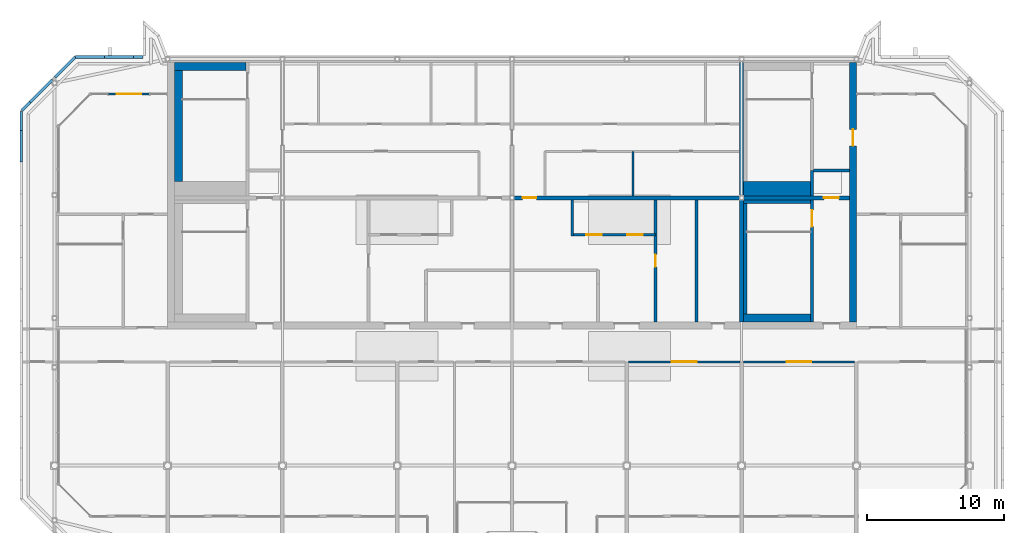
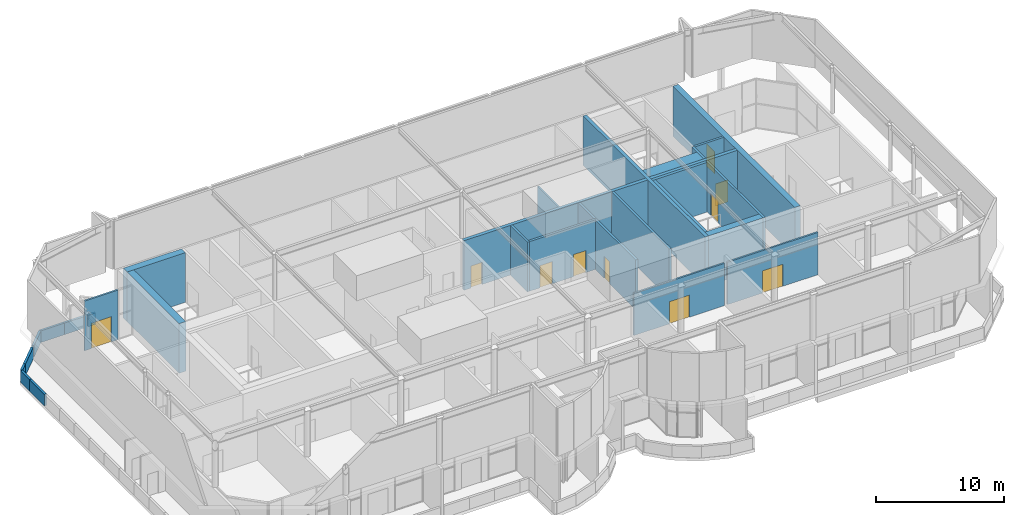
# One storey, part 21 of 25: 29 walls, 10 doors, 10 openings.
"""IFC4 building model written with IfcOpenShell, lengths in metres."""

import ifcopenshell
import ifcopenshell.guid

model = None  # the IFC model being written
_history = None  # IfcOwnerHistory: only IFC2X3 demands one
_inside = {}  # id of a spatial element -> (the spatial element, [elements in it])
_under = {}  # id of a project, library or spatial element -> (it, [spatial elements below it])
_declared = {}  # id of a project -> (the project, [libraries it declares])
_typed = {}  # id of a type object -> (the type object, [elements of that type])
_made_of = {}  # id of a material, layer set ... -> (it, [elements and type objects made of it])


def new_model(schema):
    """Start an empty IFC model of exactly this schema.

    Asked for "IFC4X3", IfcOpenShell would pick the latest addendum, in which some entities
    have other attributes; the version numbers below select the first issue.
    IFC2X3 requires an IfcOwnerHistory on every rooted entity: one is made here for all.
    """
    global model, _history
    if schema == "IFC4X3":
        model = ifcopenshell.file(schema_version=(4, 3, 0, 0))
    else:
        model = ifcopenshell.file(schema=schema)
    _inside.clear()
    _under.clear()
    _declared.clear()
    _typed.clear()
    _made_of.clear()
    _history = None
    if model.schema == "IFC2X3":
        org = make("IfcOrganization", Name="unknown")
        user = make(
            "IfcPersonAndOrganization",
            ThePerson=make("IfcPerson", FamilyName="unknown"),
            TheOrganization=org,
        )
        app = make(
            "IfcApplication",
            ApplicationDeveloper=org,
            Version="unknown",
            ApplicationFullName="unknown",
            ApplicationIdentifier="unknown",
        )
        _history = make(
            "IfcOwnerHistory",
            OwningUser=user,
            OwningApplication=app,
            ChangeAction="ADDED",
            CreationDate=0,
        )
    return model


def make(cls, **values):
    """One entity of the class cls with the attributes given. An attribute that is None is left unset."""
    return model.create_entity(
        cls, **{name: value for name, value in values.items() if value is not None}
    )


def rooted(cls, **values):
    """An entity with a GlobalId (a new one), such as an element, a storey or a relation."""
    return make(cls, GlobalId=ifcopenshell.guid.new(), OwnerHistory=_history, **values)


def si_unit(unit_type, name, prefix=None):
    """IfcSIUnit, for example si_unit("LENGTHUNIT", "METRE", prefix="MILLI")."""
    return make("IfcSIUnit", UnitType=unit_type, Prefix=prefix, Name=name)


def assignment(units):
    """IfcUnitAssignment: the units of a project."""
    return None if units is None else make("IfcUnitAssignment", Units=units)


def point(xyz):
    """IfcCartesianPoint."""
    return None if xyz is None else make("IfcCartesianPoint", Coordinates=xyz)


def direction(xyz):
    """IfcDirection."""
    return None if xyz is None else make("IfcDirection", DirectionRatios=xyz)


def frame(location, z_axis=None, x_axis=None):
    """IfcAxis2Placement3D, a coordinate frame: its origin and axes. An axis left out is left unset."""
    return make(
        "IfcAxis2Placement3D",
        Location=point(location),
        Axis=direction(z_axis),
        RefDirection=direction(x_axis),
    )


def frame_2d(location, x_axis=None):
    """IfcAxis2Placement2D, a coordinate frame in the plane: its origin and x axis."""
    return make(
        "IfcAxis2Placement2D", Location=point(location), RefDirection=direction(x_axis)
    )


def origin():
    """The frame at (0, 0, 0) with its axes left unset."""
    return frame((0.0, 0.0, 0.0))


def place(relative_to, where):
    """IfcLocalPlacement: puts the frame where relative to a parent placement (None: the world)."""
    return make(
        "IfcLocalPlacement", PlacementRelTo=relative_to, RelativePlacement=where
    )


def context(
    kind, dimensions, precision=None, world=None, true_north=None, identifier=None
):
    """IfcGeometricRepresentationContext, for example the 3D "Model" context."""
    return make(
        "IfcGeometricRepresentationContext",
        ContextIdentifier=identifier,
        ContextType=kind,
        CoordinateSpaceDimension=dimensions,
        Precision=precision,
        WorldCoordinateSystem=world,
        TrueNorth=true_north,
    )


def subcontext(parent, identifier, kind, view, scale=None):
    """IfcGeometricRepresentationSubContext, for example "Body" below "Model"."""
    return make(
        "IfcGeometricRepresentationSubContext",
        ContextIdentifier=identifier,
        ContextType=kind,
        ParentContext=parent,
        TargetScale=scale,
        TargetView=view,
    )


def project(units=None, contexts=None):
    """IfcProject with its units and contexts."""
    return rooted(
        "IfcProject",
        Name="project",
        RepresentationContexts=contexts,
        UnitsInContext=assignment(units),
    )


def spatial(cls, under=None, at=None, **own):
    """A site, building, storey or space (cls), placed at a placement, below another one or the project."""
    s = rooted(cls, ObjectPlacement=at, **own)
    if under is not None:
        _under.setdefault(under.id(), (under, []))[1].append(s)
    return s


def profile(cls, at=None, kind="AREA", **sizes):
    """A parametric profile (cls). Its sizes go by their IFC names, for example OverallWidth=200.0."""
    return make(cls, ProfileType=kind, Position=at, **sizes)


def rectangle(**sizes):
    """IfcRectangleProfileDef."""
    return profile("IfcRectangleProfileDef", **sizes)


def extrude(swept, where, along, depth):
    """IfcExtrudedAreaSolid: the profile swept, set in the frame where, extruded along a direction by depth."""
    return make(
        "IfcExtrudedAreaSolid",
        SweptArea=swept,
        Position=where,
        ExtrudedDirection=direction(along),
        Depth=depth,
    )


def shape(context_of_items, identifier, shape_type, items):
    """IfcShapeRepresentation: the items that make up one representation, for example the "Body"."""
    return make(
        "IfcShapeRepresentation",
        ContextOfItems=context_of_items,
        RepresentationIdentifier=identifier,
        RepresentationType=shape_type,
        Items=items,
    )


def source(mapping_origin, context_of_items, identifier, shape_type, items):
    """IfcRepresentationMap: a shape defined once, which mapped items show again and again."""
    return make(
        "IfcRepresentationMap",
        MappingOrigin=mapping_origin,
        MappedRepresentation=shape(context_of_items, identifier, shape_type, items),
    )


def transform(
    local_origin,
    x_axis=None,
    y_axis=None,
    z_axis=None,
    scale=None,
    scale2=None,
    scale3=None,
    uniform=True,
):
    """IfcCartesianTransformationOperator3D, or its non-uniform kind. x_axis, y_axis, z_axis: its Axis1, 2, 3."""
    if uniform:
        return make(
            "IfcCartesianTransformationOperator3D",
            Axis1=direction(x_axis),
            Axis2=direction(y_axis),
            LocalOrigin=point(local_origin),
            Scale=scale,
            Axis3=direction(z_axis),
        )
    return make(
        "IfcCartesianTransformationOperator3DnonUniform",
        Axis1=direction(x_axis),
        Axis2=direction(y_axis),
        LocalOrigin=point(local_origin),
        Scale=scale,
        Axis3=direction(z_axis),
        Scale2=scale2,
        Scale3=scale3,
    )


def mapped(mapping_source, mapping_target):
    """IfcMappedItem: shows the shape of a source again, moved by a transform."""
    return make(
        "IfcMappedItem", MappingSource=mapping_source, MappingTarget=mapping_target
    )


def material(Name=None, Category=None):
    """IfcMaterial."""
    return make("IfcMaterial", Name=Name, Category=Category)


def layer(
    of_material, thickness, ventilated=None, Name=None, Category=None, Priority=None
):
    """IfcMaterialLayer: one layer of a wall or slab, of a material (None: an air gap)."""
    return make(
        "IfcMaterialLayer",
        Material=of_material,
        LayerThickness=thickness,
        IsVentilated=ventilated,
        Name=Name,
        Category=Category,
        Priority=Priority,
    )


def layer_set(layers, Name=None):
    """IfcMaterialLayerSet."""
    return make("IfcMaterialLayerSet", MaterialLayers=layers, LayerSetName=Name)


def made_of(thing, what):
    """Note that an element or type object is made of a material, layer set ...; save() writes the relation."""
    if what is not None:
        _made_of.setdefault(what.id(), (what, []))[1].append(thing)
    return thing


def type_object(cls, material=None, **own):
    """A type object (cls), such as IfcWallType, which elements share."""
    return made_of(rooted(cls, **own), material)


def element(
    cls,
    number,
    at=None,
    inside=None,
    cuts=None,
    type_object=None,
    material=None,
    context=None,
    identifier="Body",
    shape_type=None,
    held_by="IfcProductDefinitionShape",
    body=None,
    shapes=None,
    **own,
):
    """One element of the class cls, such as IfcWall. Its Tag is "e" and its number.

    at: its placement. inside: the storey or other place that contains it. cuts: it is an
    opening in that element (IfcRelVoidsElement). A single representation is given by context,
    identifier, shape_type and body (its items); several are given by shapes. held_by: the class
    of the entity that holds the representations. save() writes the other relations.
    """
    e = rooted(cls, Tag="e%d" % number, ObjectPlacement=at, **own)
    if body is not None:
        shapes = [shape(context, identifier, shape_type, body)]
    if shapes is not None:
        e.Representation = make(held_by, Representations=shapes)
    if inside is not None:
        _inside.setdefault(inside.id(), (inside, []))[1].append(e)
    if cuts is not None:
        rooted(
            "IfcRelVoidsElement", RelatingBuildingElement=cuts, RelatedOpeningElement=e
        )
    if type_object is not None:
        _typed.setdefault(type_object.id(), (type_object, []))[1].append(e)
    return made_of(e, material)


def fill(opening, filler):
    """IfcRelFillsElement: the door or window that sits in an opening."""
    return rooted(
        "IfcRelFillsElement",
        RelatingOpeningElement=opening,
        RelatedBuildingElement=filler,
    )


def aggregate(whole, parts):
    """IfcRelAggregates: a whole, such as a stair, and the parts it consists of."""
    return rooted("IfcRelAggregates", RelatingObject=whole, RelatedObjects=parts)


def save(model, path):
    """Write the relations noted so far, then the file.

    IfcRelAggregates (storeys below a building ...), IfcRelContainedInSpatialStructure (elements
    in a storey), IfcRelDefinesByType, IfcRelAssociatesMaterial and IfcRelDeclares: one each for
    every whole, place, type object, material and project.
    """
    for whole, parts in _under.values():
        aggregate(whole, parts)
    for where, things in _inside.values():
        rooted(
            "IfcRelContainedInSpatialStructure",
            RelatedElements=things,
            RelatingStructure=where,
        )
    for kind, things in _typed.values():
        rooted("IfcRelDefinesByType", RelatedObjects=things, RelatingType=kind)
    for what, things in _made_of.values():
        rooted("IfcRelAssociatesMaterial", RelatedObjects=things, RelatingMaterial=what)
    for by, libraries in _declared.values():
        rooted("IfcRelDeclares", RelatingContext=by, RelatedDefinitions=libraries)
    model.write(path)


model = new_model("IFC4")

# Units and contexts
model_context = context("Model", 3, precision=1e-05, world=origin(), true_north=direction((0.0, 1.0)))
body_context = subcontext(model_context, "Body", "Model", "MODEL_VIEW")
ifc_project = project(units=[si_unit("LENGTHUNIT", "METRE"), si_unit("AREAUNIT", "SQUARE_METRE"), si_unit("VOLUMEUNIT", "CUBIC_METRE"), si_unit("PLANEANGLEUNIT", "RADIAN"), si_unit("MASSUNIT", "GRAM", prefix="KILO")], contexts=[model_context])

# Site, building, storey
site_placement = place(None, origin())
site = spatial("IfcSite", under=ifc_project, at=site_placement, CompositionType="ELEMENT")
building_placement = place(site_placement, origin())
building = spatial("IfcBuilding", under=site, at=building_placement, Name="Vanashikhar Sky Hotel", CompositionType="ELEMENT")
storey_placement = place(building_placement, frame((0.0, 0.0, 329.699951171875)))
storey = spatial("IfcBuildingStorey", under=building, at=storey_placement, Name="L78", CompositionType="ELEMENT", Elevation=329.699951171875)

# Wall, opening, door
ifc_material_1 = material(Name="Concrete M50", Category="concrete")
ifc_layer_1 = layer(ifc_material_1, 0.5)
ifc_layer_set_1 = layer_set([ifc_layer_1], Name="RC core shell wall 500 Concrete M50")
wall_type_1 = type_object("IfcWallType", Name="RC core shell wall 500 Concrete M50", PredefinedType="SHEAR", material=ifc_layer_set_1)
shared_shape_1 = source(origin(), body_context, "Body", "SweptSolid", [
    extrude(rectangle(XDim=19.0, YDim=0.5, at=frame_2d((9.5, 0.0))), origin(), (0.0, 0.0, 1.0), 4.719970703125),
])
wall_1_placement = place(storey_placement, frame((75.35009765625, 22.5, 0.0), z_axis=(0.0, 0.0, 1.0), x_axis=(0.0, 1.0, 0.0)))
wall_1 = element("IfcWall", 1, at=wall_1_placement, inside=storey, type_object=wall_type_1, Name="KW-L78-KE", PredefinedType="SHEAR", context=body_context, shape_type="MappedRepresentation", body=[
    mapped(shared_shape_1, transform((0.0, 0.0, 0.0), scale=1.0)),
])
shared_shape_2 = source(origin(), body_context, "Body", "SweptSolid", [
    extrude(rectangle(XDim=1.199951171875, YDim=2.10009765625, at=frame_2d((0.60009765625, 1.050048828125))), frame((0.0, 0.260009765625, 0.0), z_axis=(0.0, -1.0, 0.0), x_axis=(1.0, 0.0, 0.0)), (0.0, 0.0, 1.0), 0.52001953125),
])
opening_1_placement = place(wall_1_placement, frame((12.89990234375, 0.0, 0.0)))
opening_1 = element("IfcOpeningElement", 2, at=opening_1_placement, cuts=wall_1, Name="Opening DC-4-D", PredefinedType="OPENING", context=body_context, shape_type="MappedRepresentation", body=[
    mapped(shared_shape_2, transform((0.0, 0.0, 0.0), scale=1.0)),
])
ifc_material_2 = material(Name="Steel", Category="steel")
door_type_1 = type_object("IfcDoorType", Name="Service door 1200 FD120", OperationType="NOTDEFINED", PredefinedType="DOOR", material=ifc_material_2)
shared_shape_3 = source(origin(), body_context, "Body", "SweptSolid", [
    extrude(rectangle(XDim=1.199951171875, YDim=2.10009765625, at=frame_2d((0.60009765625, 1.050048828125))), frame((0.0, 0.02490234375, 0.0), z_axis=(0.0, -1.0, 0.0), x_axis=(1.0, 0.0, 0.0)), (0.0, 0.0, 1.0), 0.050048828125),
])
door_1_placement = place(opening_1_placement, origin())
door_1 = element("IfcDoor", 3, at=door_1_placement, inside=storey, type_object=door_type_1, Name="Service door 1200 FD120", OperationType="SINGLE_SWING_LEFT", OverallHeight=2.10009765625, OverallWidth=1.199951171875, PredefinedType="DOOR", context=body_context, shape_type="MappedRepresentation", body=[
    mapped(shared_shape_3, transform((0.0, 0.0, 0.0), scale=1.0)),
])
fill(opening_1, door_1)

# Wall
ifc_layer_2 = layer(ifc_material_1, 0.300048828125)
ifc_layer_set_2 = layer_set([ifc_layer_2], Name="RC core inner wall 300 Concrete M50")
wall_type_2 = type_object("IfcWallType", Name="RC core inner wall 300 Concrete M50", PredefinedType="SHEAR", material=ifc_layer_set_2)
shared_shape_4 = source(origin(), body_context, "Body", "SweptSolid", [
    extrude(rectangle(XDim=19.0, YDim=0.300048828125, at=frame_2d((9.5, 0.0))), origin(), (0.0, 0.0, 1.0), 4.719970703125),
])
wall_2_placement = place(storey_placement, frame((67.199951171875, 22.5, 0.0), z_axis=(0.0, 0.0, 1.0), x_axis=(0.0, 1.0, 0.0)))
element("IfcWall", 4, at=wall_2_placement, inside=storey, type_object=wall_type_2, Name="KW-L78-KX3", PredefinedType="SHEAR", context=body_context, shape_type="MappedRepresentation", body=[
    mapped(shared_shape_4, transform((0.0, 0.0, 0.0), scale=1.0)),
])

# Wall, opening, door
shared_shape_5 = source(origin(), body_context, "Body", "SweptSolid", [
    extrude(rectangle(XDim=7.75, YDim=0.300048828125, at=frame_2d((3.875, 0.0))), origin(), (0.0, 0.0, 1.0), 4.719970703125),
])
wall_3_placement = place(storey_placement, frame((67.35009765625, 31.60009765625, 0.0), z_axis=(0.0, 0.0, 1.0), x_axis=(1.0, 0.0, 0.0)))
wall_3 = element("IfcWall", 5, at=wall_3_placement, inside=storey, type_object=wall_type_2, Name="KW-L78-KY4", PredefinedType="SHEAR", context=body_context, shape_type="MappedRepresentation", body=[
    mapped(shared_shape_5, transform((0.0, 0.0, 0.0), scale=1.0)),
])
shared_shape_6 = source(origin(), body_context, "Body", "SweptSolid", [
    extrude(rectangle(XDim=1.10009765625, YDim=2.10009765625, at=frame_2d((0.550048828125, 1.050048828125))), frame((0.0, 0.16015625, 0.0), z_axis=(0.0, -1.0, 0.0), x_axis=(1.0, 0.0, 0.0)), (0.0, 0.0, 1.0), 0.320068359375),
])
opening_2_placement = place(wall_3_placement, frame((5.875, 0.0, 0.0)))
opening_2 = element("IfcOpeningElement", 6, at=opening_2_placement, cuts=wall_3, Name="Opening LD", PredefinedType="OPENING", context=body_context, shape_type="MappedRepresentation", body=[
    mapped(shared_shape_6, transform((0.0, 0.0, 0.0), scale=1.0)),
])
ifc_material_3 = material(Name="Stainless steel", Category="steel")
door_type_2 = type_object("IfcDoorType", Name="Lift landing door 1100", OperationType="NOTDEFINED", PredefinedType="DOOR", material=ifc_material_3)
shared_shape_7 = source(origin(), body_context, "Body", "SweptSolid", [
    extrude(rectangle(XDim=1.10009765625, YDim=2.10009765625, at=frame_2d((0.550048828125, 1.050048828125))), frame((0.0, 0.02490234375, 0.0), z_axis=(0.0, -1.0, 0.0), x_axis=(1.0, 0.0, 0.0)), (0.0, 0.0, 1.0), 0.050048828125),
])
door_2_placement = place(opening_2_placement, origin())
door_2 = element("IfcDoor", 7, at=door_2_placement, inside=storey, type_object=door_type_2, Name="Lift landing door 1100", OperationType="SLIDING_TO_LEFT", OverallHeight=2.10009765625, OverallWidth=1.10009765625, PredefinedType="DOOR", context=body_context, shape_type="MappedRepresentation", body=[
    mapped(shared_shape_7, transform((0.0, 0.0, 0.0), scale=1.0)),
])
fill(opening_2, door_2)

shared_shape_8 = source(origin(), body_context, "Body", "SweptSolid", [
    extrude(rectangle(XDim=16.5, YDim=0.300048828125, at=frame_2d((8.25, 0.0))), origin(), (0.0, 0.0, 1.0), 4.719970703125),
])
wall_4_placement = place(storey_placement, frame((50.550048828125, 31.60009765625, 0.0), z_axis=(0.0, 0.0, 1.0), x_axis=(1.0, 0.0, 0.0)))
wall_4 = element("IfcWall", 8, at=wall_4_placement, inside=storey, type_object=wall_type_2, Name="KW-L78-KY3", PredefinedType="SHEAR", context=body_context, shape_type="MappedRepresentation", body=[
    mapped(shared_shape_8, transform((0.0, 0.0, 0.0), scale=1.0)),
])
shared_shape_9 = source(origin(), body_context, "Body", "SweptSolid", [
    extrude(rectangle(XDim=1.0, YDim=2.10009765625, at=frame_2d((0.5, 1.050048828125))), frame((0.0, 0.16015625, 0.0), z_axis=(0.0, -1.0, 0.0), x_axis=(1.0, 0.0, 0.0)), (0.0, 0.0, 1.0), 0.320068359375),
])
opening_3_placement = place(wall_4_placement, frame((0.625, 0.0, 0.0)))
opening_3 = element("IfcOpeningElement", 9, at=opening_3_placement, cuts=wall_4, Name="Opening DC-4", PredefinedType="OPENING", context=body_context, shape_type="MappedRepresentation", body=[
    mapped(shared_shape_9, transform((0.0, 0.0, 0.0), scale=1.0)),
])
door_type_3 = type_object("IfcDoorType", Name="Service door 1000 FD60", OperationType="NOTDEFINED", PredefinedType="DOOR", material=ifc_material_2)
shared_shape_10 = source(origin(), body_context, "Body", "SweptSolid", [
    extrude(rectangle(XDim=1.0, YDim=2.10009765625, at=frame_2d((0.5, 1.050048828125))), frame((0.0, 0.02490234375, 0.0), z_axis=(0.0, -1.0, 0.0), x_axis=(1.0, 0.0, 0.0)), (0.0, 0.0, 1.0), 0.050048828125),
])
door_3_placement = place(opening_3_placement, origin())
door_3 = element("IfcDoor", 10, at=door_3_placement, inside=storey, type_object=door_type_3, Name="Service door 1000 FD60", OperationType="SINGLE_SWING_RIGHT", OverallHeight=2.10009765625, OverallWidth=1.0, PredefinedType="DOOR", context=body_context, shape_type="MappedRepresentation", body=[
    mapped(shared_shape_10, transform((0.0, 0.0, 0.0), scale=1.0)),
])
fill(opening_3, door_3)

# Walls
ifc_layer_3 = layer(ifc_material_1, 0.199951171875)
ifc_layer_set_3 = layer_set([ifc_layer_3], Name="Parapet 200")
wall_type_3 = type_object("IfcWallType", Name="Parapet 200", PredefinedType="PARAPET", material=ifc_layer_set_3)
shared_shape_11 = source(origin(), body_context, "Body", "SweptSolid", [
    extrude(rectangle(XDim=2.32421875, YDim=0.199951171875, at=frame_2d((1.162109375, 0.0))), origin(), (0.0, 0.0, 1.0), 1.10009765625),
])
wall_5_placement = place(storey_placement, frame((15.136474609375, 38.594970703125, 0.0), z_axis=(0.0, 0.0, 1.0), x_axis=(0.707106781187, 0.707106781187, 0.0)))
element("IfcWall", 11, at=wall_5_placement, inside=storey, type_object=wall_type_3, Name="Lookout balustrade wall", PredefinedType="PARAPET", context=body_context, shape_type="MappedRepresentation", body=[
    mapped(shared_shape_11, transform((0.0, 0.0, 0.0), scale=1.0)),
])
shared_shape_12 = source(origin(), body_context, "Body", "SweptSolid", [
    extrude(rectangle(XDim=0.858642578125, YDim=0.199951171875, at=frame_2d((0.42919921875, 0.0))), origin(), (0.0, 0.0, 1.0), 1.10009765625),
])
wall_6_placement = place(storey_placement, frame((14.529296875, 37.98779296875, 0.0), z_axis=(0.0, 0.0, 1.0), x_axis=(0.707106781187, 0.707106781187, 0.0)))
element("IfcWall", 12, at=wall_6_placement, inside=storey, type_object=wall_type_3, Name="Lookout balustrade wall", PredefinedType="PARAPET", context=body_context, shape_type="MappedRepresentation", body=[
    mapped(shared_shape_12, transform((0.0, 0.0, 0.0), scale=1.0)),
])
shared_shape_13 = source(origin(), body_context, "Body", "SweptSolid", [
    extrude(rectangle(XDim=1.383056640625, YDim=0.199951171875, at=frame_2d((0.69140625, 0.0))), origin(), (0.0, 0.0, 1.0), 1.10009765625),
])
wall_7_placement = place(storey_placement, frame((14.5, 36.5341796875, 0.0), z_axis=(0.0, 0.0, 1.0), x_axis=(0.0, 1.0, 0.0)))
element("IfcWall", 13, at=wall_7_placement, inside=storey, type_object=wall_type_3, Name="Lookout balustrade wall", PredefinedType="PARAPET", context=body_context, shape_type="MappedRepresentation", body=[
    mapped(shared_shape_13, transform((0.0, 0.0, 0.0), scale=1.0)),
])
shared_shape_14 = source(origin(), body_context, "Body", "SweptSolid", [
    extrude(rectangle(XDim=2.324462890625, YDim=0.199951171875, at=frame_2d((1.162109375, 0.0))), origin(), (0.0, 0.0, 1.0), 1.10009765625),
])
wall_8_placement = place(storey_placement, frame((14.5, 34.209716796875, 0.0), z_axis=(0.0, 0.0, 1.0), x_axis=(0.0, 1.0, 0.0)))
element("IfcWall", 14, at=wall_8_placement, inside=storey, type_object=wall_type_3, Name="Lookout balustrade wall", PredefinedType="PARAPET", context=body_context, shape_type="MappedRepresentation", body=[
    mapped(shared_shape_14, transform((0.0, 0.0, 0.0), scale=1.0)),
])
shared_shape_15 = source(origin(), body_context, "Body", "SweptSolid", [
    extrude(rectangle(XDim=2.093017578125, YDim=0.199951171875, at=frame_2d((1.04638671875, 0.0))), origin(), (0.0, 0.0, 1.0), 1.10009765625),
])
wall_9_placement = place(storey_placement, frame((16.96142578125, 40.419921875, 0.0), z_axis=(0.0, 0.0, 1.0), x_axis=(0.707106781187, 0.707106781187, 0.0)))
element("IfcWall", 15, at=wall_9_placement, inside=storey, type_object=wall_type_3, Name="Lookout balustrade wall", PredefinedType="PARAPET", context=body_context, shape_type="MappedRepresentation", body=[
    mapped(shared_shape_15, transform((0.0, 0.0, 0.0), scale=1.0)),
])
shared_shape_16 = source(origin(), body_context, "Body", "SweptSolid", [
    extrude(rectangle(XDim=2.124267578125, YDim=0.199951171875, at=frame_2d((1.06201171875, 0.0))), origin(), (0.0, 0.0, 1.0), 1.10009765625),
])
wall_10_placement = place(storey_placement, frame((18.472900390625, 41.89990234375, 0.0), z_axis=(0.0, 0.0, 1.0), x_axis=(1.0, 0.0, 0.0)))
element("IfcWall", 16, at=wall_10_placement, inside=storey, type_object=wall_type_3, Name="Lookout balustrade wall", PredefinedType="PARAPET", context=body_context, shape_type="MappedRepresentation", body=[
    mapped(shared_shape_16, transform((0.0, 0.0, 0.0), scale=1.0)),
])
shared_shape_17 = source(origin(), body_context, "Body", "SweptSolid", [
    extrude(rectangle(XDim=2.12451171875, YDim=0.199951171875, at=frame_2d((1.062255859375, 0.0))), origin(), (0.0, 0.0, 1.0), 1.10009765625),
])
wall_11_placement = place(storey_placement, frame((20.59716796875, 41.89990234375, 0.0), z_axis=(0.0, 0.0, 1.0), x_axis=(1.0, 0.0, 0.0)))
element("IfcWall", 17, at=wall_11_placement, inside=storey, type_object=wall_type_3, Name="Lookout balustrade wall", PredefinedType="PARAPET", context=body_context, shape_type="MappedRepresentation", body=[
    mapped(shared_shape_17, transform((0.0, 0.0, 0.0), scale=1.0)),
])
shared_shape_18 = source(origin(), body_context, "Body", "SweptSolid", [
    extrude(rectangle(XDim=0.666259765625, YDim=0.199951171875, at=frame_2d((0.3330078125, 0.0))), origin(), (0.0, 0.0, 1.0), 1.10009765625),
])
wall_12_placement = place(storey_placement, frame((22.7216796875, 41.89990234375, 0.0), z_axis=(0.0, 0.0, 1.0), x_axis=(1.0, 0.0, 0.0)))
element("IfcWall", 18, at=wall_12_placement, inside=storey, type_object=wall_type_3, Name="Lookout balustrade wall", PredefinedType="PARAPET", context=body_context, shape_type="MappedRepresentation", body=[
    mapped(shared_shape_18, transform((0.0, 0.0, 0.0), scale=1.0)),
])

# Wall, opening, door
ifc_material_4 = material(Name="Aluminium", Category="aluminium")
ifc_layer_4 = layer(ifc_material_4, 0.14990234375)
ifc_layer_set_4 = layer_set([ifc_layer_4], Name="Aluminium framed infill wall 150")
wall_type_4 = type_object("IfcWallType", Name="Aluminium framed infill wall 150", PredefinedType="SOLIDWALL", material=ifc_layer_set_4)
shared_shape_19 = source(origin(), body_context, "Body", "SweptSolid", [
    extrude(rectangle(XDim=3.0, YDim=0.14990234375, at=frame_2d((1.5, 0.0))), origin(), (0.0, 0.0, 1.0), 4.719970703125),
])
wall_13_placement = place(storey_placement, frame((23.869873046875, 39.199951171875, 0.0), z_axis=(0.0, 0.0, 1.0), x_axis=(-1.0, 0.0, 0.0)))
wall_13 = element("IfcWall", 19, at=wall_13_placement, inside=storey, type_object=wall_type_4, Name="Lounge door wall", PredefinedType="SOLIDWALL", context=body_context, shape_type="MappedRepresentation", body=[
    mapped(shared_shape_19, transform((0.0, 0.0, 0.0), scale=1.0)),
])
shared_shape_20 = source(origin(), body_context, "Body", "SweptSolid", [
    extrude(rectangle(XDim=1.800048828125, YDim=2.39990234375, at=frame_2d((0.89990234375, 1.199951171875))), frame((0.0, 0.0849609375, 0.0), z_axis=(0.0, -1.0, 0.0), x_axis=(1.0, 0.0, 0.0)), (0.0, 0.0, 1.0), 0.169921875),
])
opening_4_placement = place(wall_13_placement, frame((0.60009765625, 0.0, 0.0)))
opening_4 = element("IfcOpeningElement", 20, at=opening_4_placement, cuts=wall_13, Name="Opening LD-08", PredefinedType="OPENING", context=body_context, shape_type="MappedRepresentation", body=[
    mapped(shared_shape_20, transform((0.0, 0.0, 0.0), scale=1.0)),
])
door_type_4 = type_object("IfcDoorType", Name="Lookout sliding door 1800 x 2400", OperationType="NOTDEFINED", PredefinedType="DOOR", material=ifc_material_4)
shared_shape_21 = source(origin(), body_context, "Body", "SweptSolid", [
    extrude(rectangle(XDim=1.800048828125, YDim=2.39990234375, at=frame_2d((0.89990234375, 1.199951171875))), frame((0.0, 0.02490234375, 0.0), z_axis=(0.0, -1.0, 0.0), x_axis=(1.0, 0.0, 0.0)), (0.0, 0.0, 1.0), 0.050048828125),
])
door_4_placement = place(opening_4_placement, origin())
door_4 = element("IfcDoor", 21, at=door_4_placement, inside=storey, type_object=door_type_4, Name="Lookout sliding door", OperationType="SLIDING_TO_RIGHT", OverallHeight=2.39990234375, OverallWidth=1.800048828125, PredefinedType="DOOR", context=body_context, shape_type="MappedRepresentation", body=[
    mapped(shared_shape_21, transform((0.0, 0.0, 0.0), scale=1.0)),
])
fill(opening_4, door_4)

# Wall, openings, doors
ifc_material_5 = material(Name="Concrete M40", Category="concrete")
ifc_layer_5 = layer(ifc_material_5, 0.199951171875)
ifc_layer_set_5 = layer_set([ifc_layer_5], Name="Shaft wall 200")
wall_type_5 = type_object("IfcWallType", Name="Shaft wall 200", PredefinedType="SOLIDWALL", material=ifc_layer_set_5)
shared_shape_22 = source(origin(), body_context, "Body", "SweptSolid", [
    extrude(rectangle(XDim=6.0, YDim=0.199951171875, at=frame_2d((3.0, 0.0))), origin(), (0.0, 0.0, 1.0), 4.719970703125),
])
wall_14_placement = place(storey_placement, frame((60.89990234375, 28.89990234375, 0.0), z_axis=(0.0, 0.0, 1.0), x_axis=(-1.0, 0.0, 0.0)))
wall_14 = element("IfcWall", 22, at=wall_14_placement, inside=storey, type_object=wall_type_5, Name="Shaft wall 200", PredefinedType="SOLIDWALL", context=body_context, shape_type="MappedRepresentation", body=[
    mapped(shared_shape_22, transform((0.0, 0.0, 0.0), scale=1.0)),
])
shared_shape_23 = source(origin(), body_context, "Body", "SweptSolid", [
    extrude(rectangle(XDim=1.10009765625, YDim=2.10009765625, at=frame_2d((0.550048828125, 1.050048828125))), frame((0.0, 0.10986328125, 0.0), z_axis=(0.0, -1.0, 0.0), x_axis=(1.0, 0.0, 0.0)), (0.0, 0.0, 1.0), 0.219970703125),
])
opening_5_placement = place(wall_14_placement, frame((0.949951171875, 0.0, 0.0)))
opening_5 = element("IfcOpeningElement", 23, at=opening_5_placement, cuts=wall_14, Name="Opening LD", PredefinedType="OPENING", context=body_context, shape_type="MappedRepresentation", body=[
    mapped(shared_shape_23, transform((0.0, 0.0, 0.0), scale=1.0)),
])
opening_6_placement = place(wall_14_placement, frame((3.949951171875, 0.0, 0.0)))
opening_6 = element("IfcOpeningElement", 24, at=opening_6_placement, cuts=wall_14, Name="Opening LD", PredefinedType="OPENING", context=body_context, shape_type="MappedRepresentation", body=[
    mapped(shared_shape_23, transform((0.0, 0.0, 0.0), scale=1.0)),
])
door_5_placement = place(opening_5_placement, origin())
door_5 = element("IfcDoor", 25, at=door_5_placement, inside=storey, type_object=door_type_2, Name="Lift landing door 1100", OperationType="SLIDING_TO_RIGHT", OverallHeight=2.10009765625, OverallWidth=1.10009765625, PredefinedType="DOOR", context=body_context, shape_type="MappedRepresentation", body=[
    mapped(shared_shape_7, transform((0.0, 0.0, 0.0), scale=1.0)),
])
fill(opening_5, door_5)
door_6_placement = place(opening_6_placement, origin())
door_6 = element("IfcDoor", 26, at=door_6_placement, inside=storey, type_object=door_type_2, Name="Lift landing door 1100", OperationType="SLIDING_TO_LEFT", OverallHeight=2.10009765625, OverallWidth=1.10009765625, PredefinedType="DOOR", context=body_context, shape_type="MappedRepresentation", body=[
    mapped(shared_shape_7, transform((0.0, 0.0, 0.0), scale=1.0)),
])
fill(opening_6, door_6)

# Wall, opening, door
ifc_material_6 = material(Name="Gypsum board partition")
ifc_layer_6 = layer(ifc_material_6, 0.14990234375)
ifc_layer_set_6 = layer_set([ifc_layer_6], Name="Service partition 150")
wall_type_6 = type_object("IfcWallType", Name="Service partition 150", PredefinedType="PARTITIONING", material=ifc_layer_set_6)
shared_shape_24 = source(origin(), body_context, "Body", "SweptSolid", [
    extrude(rectangle(XDim=8.949951171875, YDim=0.199951171875, at=frame_2d((4.47509765625, 0.0))), origin(), (0.0, 0.0, 1.0), 4.719970703125),
])
wall_15_placement = place(storey_placement, frame((60.89990234375, 22.5, 0.0), z_axis=(0.0, 0.0, 1.0), x_axis=(0.0, 1.0, 0.0)))
wall_15 = element("IfcWall", 27, at=wall_15_placement, inside=storey, type_object=wall_type_6, Name="Service partition 150", PredefinedType="PARTITIONING", context=body_context, shape_type="MappedRepresentation", body=[
    mapped(shared_shape_24, transform((0.0, 0.0, 0.0), scale=1.0)),
])
shared_shape_25 = source(origin(), body_context, "Body", "SweptSolid", [
    extrude(rectangle(XDim=0.89990234375, YDim=2.10009765625, at=frame_2d((0.449951171875, 1.050048828125))), frame((0.0, 0.10986328125, 0.0), z_axis=(0.0, -1.0, 0.0), x_axis=(1.0, 0.0, 0.0)), (0.0, 0.0, 1.0), 0.219970703125),
])
opening_7_placement = place(wall_15_placement, frame((4.050048828125, 0.0, 0.0)))
opening_7 = element("IfcOpeningElement", 28, at=opening_7_placement, cuts=wall_15, Name="Opening DC-4-A", PredefinedType="OPENING", context=body_context, shape_type="MappedRepresentation", body=[
    mapped(shared_shape_25, transform((0.0, 0.0, 0.0), scale=1.0)),
])
door_type_5 = type_object("IfcDoorType", Name="Service door 900 FD60", OperationType="NOTDEFINED", PredefinedType="DOOR", material=ifc_material_2)
shared_shape_26 = source(origin(), body_context, "Body", "SweptSolid", [
    extrude(rectangle(XDim=0.89990234375, YDim=2.10009765625, at=frame_2d((0.449951171875, 1.050048828125))), frame((0.0, 0.02490234375, 0.0), z_axis=(0.0, -1.0, 0.0), x_axis=(1.0, 0.0, 0.0)), (0.0, 0.0, 1.0), 0.050048828125),
])
door_7_placement = place(opening_7_placement, origin())
door_7 = element("IfcDoor", 29, at=door_7_placement, inside=storey, type_object=door_type_5, Name="Service door 900 FD60", OperationType="SINGLE_SWING_RIGHT", OverallHeight=2.10009765625, OverallWidth=0.89990234375, PredefinedType="DOOR", context=body_context, shape_type="MappedRepresentation", body=[
    mapped(shared_shape_26, transform((0.0, 0.0, 0.0), scale=1.0)),
])
fill(opening_7, door_7)

# Walls
wall_16_placement = place(storey_placement, frame((63.89990234375, 22.5, 0.0), z_axis=(0.0, 0.0, 1.0), x_axis=(0.0, 1.0, 0.0)))
element("IfcWall", 30, at=wall_16_placement, inside=storey, type_object=wall_type_6, Name="Service partition 150", PredefinedType="PARTITIONING", context=body_context, shape_type="MappedRepresentation", body=[
    mapped(shared_shape_24, transform((0.0, 0.0, 0.0), scale=1.0)),
])
shared_shape_27 = source(origin(), body_context, "Body", "SweptSolid", [
    extrude(rectangle(XDim=2.64990234375, YDim=0.199951171875, at=frame_2d((1.324951171875, 0.0))), origin(), (0.0, 0.0, 1.0), 4.719970703125),
])
wall_17_placement = place(storey_placement, frame((54.800048828125, 28.800048828125, 0.0), z_axis=(0.0, 0.0, 1.0), x_axis=(0.0, 1.0, 0.0)))
element("IfcWall", 31, at=wall_17_placement, inside=storey, type_object=wall_type_5, Name="Shaft wall 200", PredefinedType="SOLIDWALL", context=body_context, shape_type="MappedRepresentation", body=[
    mapped(shared_shape_27, transform((0.0, 0.0, 0.0), scale=1.0)),
])
shared_shape_28 = source(origin(), body_context, "Body", "SweptSolid", [
    extrude(rectangle(XDim=3.25, YDim=0.14990234375, at=frame_2d((1.625, 0.0))), origin(), (0.0, 0.0, 1.0), 4.719970703125),
])
wall_18_placement = place(storey_placement, frame((59.25390625, 31.75, 0.0), z_axis=(0.0, 0.0, 1.0), x_axis=(0.0, 1.0, 0.0)))
element("IfcWall", 32, at=wall_18_placement, inside=storey, type_object=wall_type_6, Name="Service partition 150", PredefinedType="PARTITIONING", context=body_context, shape_type="MappedRepresentation", body=[
    mapped(shared_shape_28, transform((0.0, 0.0, 0.0), scale=1.0)),
])

# Wall, opening, door
ifc_layer_7 = layer(ifc_material_1, 0.199951171875)
ifc_layer_set_7 = layer_set([ifc_layer_7], Name="Stair wall 200")
wall_type_7 = type_object("IfcWallType", Name="Stair wall 200", PredefinedType="SOLIDWALL", material=ifc_layer_set_7)
shared_shape_29 = source(origin(), body_context, "Body", "SweptSolid", [
    extrude(rectangle(XDim=8.949951171875, YDim=0.199951171875, at=frame_2d((4.47509765625, 0.0))), origin(), (0.0, 0.0, 1.0), 4.719970703125),
])
wall_19_placement = place(storey_placement, frame((72.35009765625, 22.5, 0.0), z_axis=(0.0, 0.0, 1.0), x_axis=(0.0, 1.0, 0.0)))
wall_19 = element("IfcWall", 33, at=wall_19_placement, inside=storey, type_object=wall_type_7, Name="Stair wall 200", PredefinedType="SOLIDWALL", context=body_context, shape_type="MappedRepresentation", body=[
    mapped(shared_shape_29, transform((0.0, 0.0, 0.0), scale=1.0)),
])
shared_shape_30 = source(origin(), body_context, "Body", "SweptSolid", [
    extrude(rectangle(XDim=1.199951171875, YDim=2.10009765625, at=frame_2d((0.60009765625, 1.050048828125))), frame((0.0, 0.10986328125, 0.0), z_axis=(0.0, -1.0, 0.0), x_axis=(1.0, 0.0, 0.0)), (0.0, 0.0, 1.0), 0.219970703125),
])
opening_8_placement = place(wall_19_placement, frame((7.0, 0.0, 0.0)))
opening_8 = element("IfcOpeningElement", 34, at=opening_8_placement, cuts=wall_19, Name="Opening DC-1", PredefinedType="OPENING", context=body_context, shape_type="MappedRepresentation", body=[
    mapped(shared_shape_30, transform((0.0, 0.0, 0.0), scale=1.0)),
])
door_type_6 = type_object("IfcDoorType", Name="Stair door 1200 FD120", OperationType="NOTDEFINED", PredefinedType="DOOR", material=ifc_material_2)
door_8_placement = place(opening_8_placement, origin())
door_8 = element("IfcDoor", 35, at=door_8_placement, inside=storey, type_object=door_type_6, Name="Stair door 1200 FD120", OperationType="SINGLE_SWING_RIGHT", OverallHeight=2.10009765625, OverallWidth=1.199951171875, PredefinedType="DOOR", context=body_context, shape_type="MappedRepresentation", body=[
    mapped(shared_shape_3, transform((0.0, 0.0, 0.0), scale=1.0)),
])
fill(opening_8, door_8)

# Walls
shared_shape_31 = source(origin(), body_context, "Body", "SweptSolid", [
    extrude(rectangle(XDim=1.85009765625, YDim=0.199951171875, at=frame_2d((0.925048828125, 0.0))), origin(), (0.0, 0.0, 1.0), 4.719970703125),
])
wall_20_placement = place(storey_placement, frame((72.35009765625, 31.75, 0.0), z_axis=(0.0, 0.0, 1.0), x_axis=(0.0, 1.0, 0.0)))
element("IfcWall", 36, at=wall_20_placement, inside=storey, type_object=wall_type_5, Name="Shaft wall 200", PredefinedType="SOLIDWALL", context=body_context, shape_type="MappedRepresentation", body=[
    mapped(shared_shape_31, transform((0.0, 0.0, 0.0), scale=1.0)),
])
shared_shape_32 = source(origin(), body_context, "Body", "SweptSolid", [
    extrude(rectangle(XDim=2.650146484375, YDim=0.199951171875, at=frame_2d((1.3251953125, 0.0))), origin(), (0.0, 0.0, 1.0), 4.719970703125),
])
wall_21_placement = place(storey_placement, frame((72.449951171875, 33.60009765625, 0.0), z_axis=(0.0, 0.0, 1.0), x_axis=(1.0, 0.0, 0.0)))
element("IfcWall", 37, at=wall_21_placement, inside=storey, type_object=wall_type_5, Name="Shaft wall 200", PredefinedType="SOLIDWALL", context=body_context, shape_type="MappedRepresentation", body=[
    mapped(shared_shape_32, transform((0.0, 0.0, 0.0), scale=1.0)),
])
ifc_layer_8 = layer(ifc_material_1, 0.60009765625)
ifc_layer_set_8 = layer_set([ifc_layer_8], Name="Stair infill wall 600")
wall_type_8 = type_object("IfcWallType", Name="Stair infill wall 600", PredefinedType="SOLIDWALL", material=ifc_layer_set_8)
shared_shape_33 = source(origin(), body_context, "Body", "SweptSolid", [
    extrude(rectangle(XDim=5.25, YDim=0.60009765625, at=frame_2d((2.625, 0.0))), origin(), (0.0, 0.0, 1.0), 4.719970703125),
])
wall_22_placement = place(storey_placement, frame((25.699951171875, 41.199951171875, 0.0), z_axis=(0.0, 0.0, 1.0), x_axis=(1.0, 0.0, 0.0)))
element("IfcWall", 38, at=wall_22_placement, inside=storey, type_object=wall_type_8, Name="Stair infill wall 600", PredefinedType="SOLIDWALL", context=body_context, shape_type="MappedRepresentation", body=[
    mapped(shared_shape_33, transform((0.0, 0.0, 0.0), scale=1.0)),
])
shared_shape_34 = source(origin(), body_context, "Body", "SweptSolid", [
    extrude(rectangle(XDim=8.099853515625, YDim=0.60009765625, at=frame_2d((4.0498046875, 0.0))), origin(), (0.0, 0.0, 1.0), 4.719970703125),
])
wall_23_placement = place(storey_placement, frame((26.0, 32.800048828125, 0.0), z_axis=(0.0, 0.0, 1.0), x_axis=(0.0, 1.0, 0.0)))
element("IfcWall", 39, at=wall_23_placement, inside=storey, type_object=wall_type_8, Name="Stair infill wall 600", PredefinedType="SOLIDWALL", context=body_context, shape_type="MappedRepresentation", body=[
    mapped(shared_shape_34, transform((0.0, 0.0, 0.0), scale=1.0)),
])
shared_shape_35 = source(origin(), body_context, "Body", "SweptSolid", [
    extrude(rectangle(XDim=4.89990234375, YDim=0.60009765625, at=frame_2d((2.449951171875, 0.0))), origin(), (0.0, 0.0, 1.0), 4.719970703125),
])
wall_24_placement = place(storey_placement, frame((67.35009765625, 22.800048828125, 0.0), z_axis=(0.0, 0.0, 1.0), x_axis=(1.0, 0.0, 0.0)))
element("IfcWall", 40, at=wall_24_placement, inside=storey, type_object=wall_type_8, Name="Stair infill wall 600", PredefinedType="SOLIDWALL", context=body_context, shape_type="MappedRepresentation", body=[
    mapped(shared_shape_35, transform((0.0, 0.0, 0.0), scale=1.0)),
])
ifc_layer_9 = layer(ifc_material_1, 0.25)
ifc_layer_set_9 = layer_set([ifc_layer_9], Name="Stair infill wall 250")
wall_type_9 = type_object("IfcWallType", Name="Stair infill wall 250", PredefinedType="SOLIDWALL", material=ifc_layer_set_9)
shared_shape_36 = source(origin(), body_context, "Body", "SweptSolid", [
    extrude(rectangle(XDim=4.89990234375, YDim=0.25, at=frame_2d((2.449951171875, 0.0))), origin(), (0.0, 0.0, 1.0), 4.719970703125),
])
wall_25_placement = place(storey_placement, frame((67.35009765625, 31.324951171875, 0.0), z_axis=(0.0, 0.0, 1.0), x_axis=(1.0, 0.0, 0.0)))
element("IfcWall", 41, at=wall_25_placement, inside=storey, type_object=wall_type_9, Name="Stair infill wall 250", PredefinedType="SOLIDWALL", context=body_context, shape_type="MappedRepresentation", body=[
    mapped(shared_shape_36, transform((0.0, 0.0, 0.0), scale=1.0)),
])
shared_shape_37 = source(origin(), body_context, "Body", "SweptSolid", [
    extrude(rectangle(XDim=8.099853515625, YDim=0.25, at=frame_2d((4.0498046875, 0.0))), origin(), (0.0, 0.0, 1.0), 4.719970703125),
])
wall_26_placement = place(storey_placement, frame((67.47509765625, 23.10009765625, 0.0), z_axis=(0.0, 0.0, 1.0), x_axis=(0.0, 1.0, 0.0)))
element("IfcWall", 42, at=wall_26_placement, inside=storey, type_object=wall_type_9, Name="Stair infill wall 250", PredefinedType="SOLIDWALL", context=body_context, shape_type="MappedRepresentation", body=[
    mapped(shared_shape_37, transform((0.0, 0.0, 0.0), scale=1.0)),
])
ifc_layer_10 = layer(ifc_material_1, 1.050048828125)
ifc_layer_set_10 = layer_set([ifc_layer_10], Name="Stair infill wall 1050")
wall_type_10 = type_object("IfcWallType", Name="Stair infill wall 1050", PredefinedType="SOLIDWALL", material=ifc_layer_set_10)
shared_shape_38 = source(origin(), body_context, "Body", "SweptSolid", [
    extrude(rectangle(XDim=4.89990234375, YDim=1.050048828125, at=frame_2d((2.449951171875, 0.0))), origin(), (0.0, 0.0, 1.0), 4.719970703125),
])
wall_27_placement = place(storey_placement, frame((67.35009765625, 32.27490234375, 0.0), z_axis=(0.0, 0.0, 1.0), x_axis=(1.0, 0.0, 0.0)))
element("IfcWall", 43, at=wall_27_placement, inside=storey, type_object=wall_type_10, Name="Stair infill wall 1050", PredefinedType="SOLIDWALL", context=body_context, shape_type="MappedRepresentation", body=[
    mapped(shared_shape_38, transform((0.0, 0.0, 0.0), scale=1.0)),
])

# Wall, opening, door
ifc_material_7 = material(Name="Gypsum plasterboard partition")
ifc_layer_11 = layer(ifc_material_7, 0.14990234375)
ifc_layer_set_11 = layer_set([ifc_layer_11], Name="Corridor and demising partition 150")
wall_type_11 = type_object("IfcWallType", Name="Corridor and demising partition 150", PredefinedType="PARTITIONING", material=ifc_layer_set_11)
shared_shape_39 = source(origin(), body_context, "Body", "SweptSolid", [
    extrude(rectangle(XDim=8.150146484375, YDim=0.14990234375, at=frame_2d((4.0751953125, 0.0))), origin(), (0.0, 0.0, 1.0), 4.02001953125),
])
wall_28_placement = place(storey_placement, frame((67.324951171875, 19.60009765625, 0.0), z_axis=(0.0, 0.0, 1.0), x_axis=(1.0, 0.0, 0.0)))
wall_28 = element("IfcWall", 44, at=wall_28_placement, inside=storey, type_object=wall_type_11, Name="W-L78-PW009", PredefinedType="PARTITIONING", context=body_context, shape_type="MappedRepresentation", body=[
    mapped(shared_shape_39, transform((0.0, 0.0, 0.0), scale=1.0)),
])
shared_shape_40 = source(origin(), body_context, "Body", "SweptSolid", [
    extrude(rectangle(XDim=1.800048828125, YDim=2.10009765625, at=frame_2d((0.89990234375, 1.050048828125))), frame((0.0, 0.0849609375, 0.0), z_axis=(0.0, -1.0, 0.0), x_axis=(1.0, 0.0, 0.0)), (0.0, 0.0, 1.0), 0.169921875),
])
opening_9_placement = place(wall_28_placement, frame((3.175048828125, 0.0, 0.0)))
opening_9 = element("IfcOpeningElement", 45, at=opening_9_placement, cuts=wall_28, Name="Opening D-03", PredefinedType="OPENING", context=body_context, shape_type="MappedRepresentation", body=[
    mapped(shared_shape_40, transform((0.0, 0.0, 0.0), scale=1.0)),
])
ifc_material_8 = material(Name="Timber fire door", Category="wood")
door_type_7 = type_object("IfcDoorType", Name="Double leaf door 1800 FD30S", OperationType="NOTDEFINED", PredefinedType="DOOR", material=ifc_material_8)
shared_shape_41 = source(origin(), body_context, "Body", "SweptSolid", [
    extrude(rectangle(XDim=1.800048828125, YDim=2.10009765625, at=frame_2d((0.89990234375, 1.050048828125))), frame((0.0, 0.02490234375, 0.0), z_axis=(0.0, -1.0, 0.0), x_axis=(1.0, 0.0, 0.0)), (0.0, 0.0, 1.0), 0.050048828125),
])
door_9_placement = place(opening_9_placement, origin())
door_9 = element("IfcDoor", 46, at=door_9_placement, inside=storey, type_object=door_type_7, Name="D-L78-008", OperationType="DOUBLE_DOOR_SINGLE_SWING", OverallHeight=2.10009765625, OverallWidth=1.800048828125, PredefinedType="DOOR", context=body_context, shape_type="MappedRepresentation", body=[
    mapped(shared_shape_41, transform((0.0, 0.0, 0.0), scale=1.0)),
])
fill(opening_9, door_9)

shared_shape_42 = source(origin(), body_context, "Body", "SweptSolid", [
    extrude(rectangle(XDim=8.14990234375, YDim=0.14990234375, at=frame_2d((4.074951171875, 0.0))), origin(), (0.0, 0.0, 1.0), 4.02001953125),
])
wall_29_placement = place(storey_placement, frame((58.925048828125, 19.60009765625, 0.0), z_axis=(0.0, 0.0, 1.0), x_axis=(1.0, 0.0, 0.0)))
wall_29 = element("IfcWall", 47, at=wall_29_placement, inside=storey, type_object=wall_type_11, Name="W-L78-PW008", PredefinedType="PARTITIONING", context=body_context, shape_type="MappedRepresentation", body=[
    mapped(shared_shape_42, transform((0.0, 0.0, 0.0), scale=1.0)),
])
opening_10_placement = place(wall_29_placement, frame((3.175048828125, 0.0, 0.0)))
opening_10 = element("IfcOpeningElement", 48, at=opening_10_placement, cuts=wall_29, Name="Opening D-03", PredefinedType="OPENING", context=body_context, shape_type="MappedRepresentation", body=[
    mapped(shared_shape_40, transform((0.0, 0.0, 0.0), scale=1.0)),
])
door_10_placement = place(opening_10_placement, origin())
door_10 = element("IfcDoor", 49, at=door_10_placement, inside=storey, type_object=door_type_7, Name="D-L78-007", OperationType="DOUBLE_DOOR_SINGLE_SWING", OverallHeight=2.10009765625, OverallWidth=1.800048828125, PredefinedType="DOOR", context=body_context, shape_type="MappedRepresentation", body=[
    mapped(shared_shape_41, transform((0.0, 0.0, 0.0), scale=1.0)),
])
fill(opening_10, door_10)

save(model, "model.ifc")
